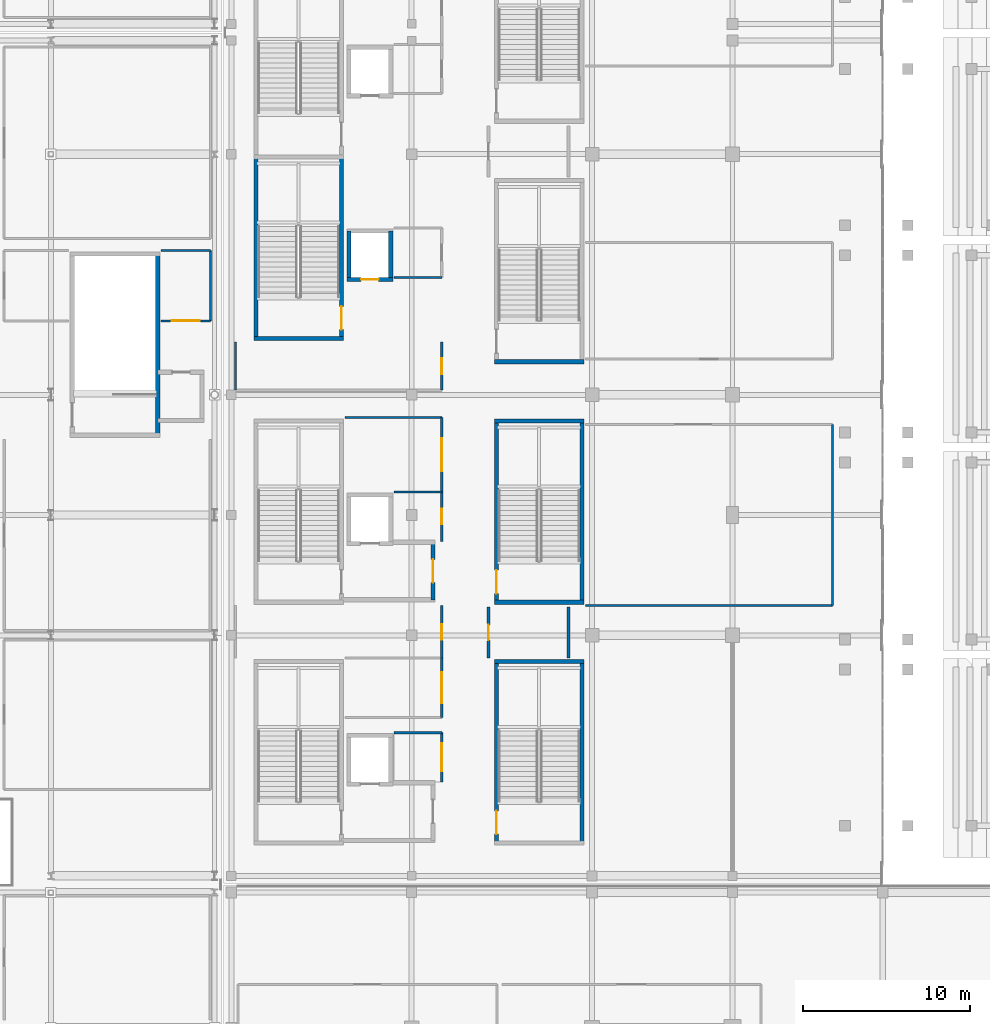
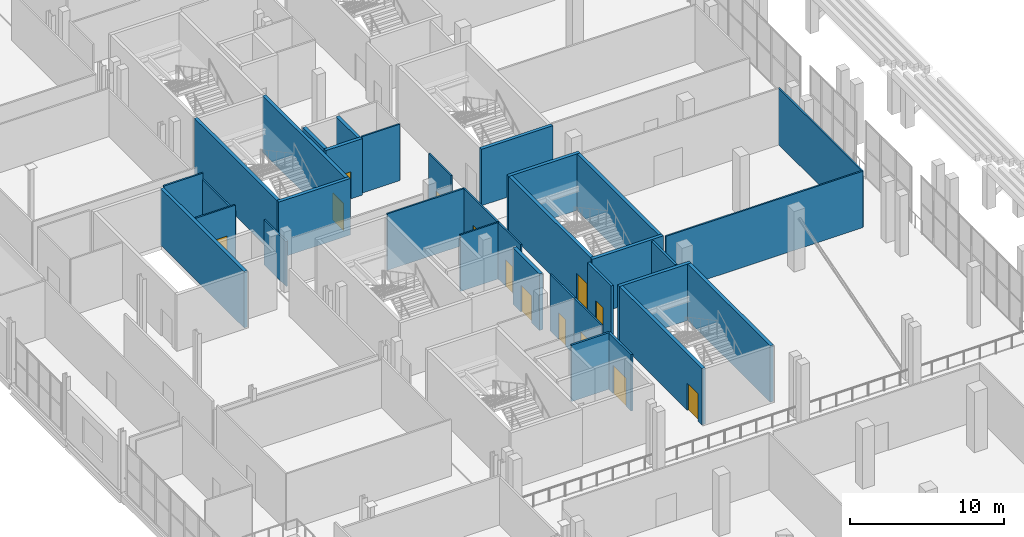
# One storey, part 89 of 142: 34 walls, 13 doors, 13 openings.
"""IFC4 building model written with IfcOpenShell, lengths in metres."""

from ifc_helpers import new_model, si_unit, direction, frame, frame_2d, origin, place, context, subcontext, project, spatial, rectangle, extrude, material, layer, layer_set, type_object, element, fill, save


model = new_model("IFC4")

# Units and contexts
model_context = context("Model", 3, precision=1e-05, world=origin(), true_north=direction((0.0, 1.0)))
body_context = subcontext(model_context, "Body", "Model", "MODEL_VIEW")
ifc_project = project(units=[si_unit("LENGTHUNIT", "METRE"), si_unit("AREAUNIT", "SQUARE_METRE"), si_unit("VOLUMEUNIT", "CUBIC_METRE"), si_unit("PLANEANGLEUNIT", "RADIAN"), si_unit("MASSUNIT", "GRAM", prefix="KILO")], contexts=[model_context])

# Site, building, storey
site_placement = place(None, origin())
site = spatial("IfcSite", under=ifc_project, at=site_placement, CompositionType="ELEMENT")
building_placement = place(site_placement, origin())
building = spatial("IfcBuilding", under=site, at=building_placement, Name="Koshinbarg Plaza Stadium", CompositionType="ELEMENT")
storey_placement = place(building_placement, frame((0.0, 0.0, 10.199951171875)))
storey = spatial("IfcBuildingStorey", under=building, at=storey_placement, Name="L02", CompositionType="ELEMENT", Elevation=10.199951171875)

# Walls
ifc_material_1 = material(Name="Concrete C40/50", Category="concrete")
ifc_layer_1 = layer(ifc_material_1, 0.25)
ifc_layer_set_1 = layer_set([ifc_layer_1], Name="Concrete C40/50")
wall_type_1 = type_object("IfcWallType", Name="WL-CORE-250", PredefinedType="SHEAR", material=ifc_layer_set_1)
wall_1_placement = place(storey_placement, frame((25.949951171875, 57.675048828125, 0.0), z_axis=(0.0, 0.0, 1.0), x_axis=(1.0, 0.0, 0.0)))
element("IfcWall", 1, at=wall_1_placement, inside=storey, type_object=wall_type_1, Name="L02 core stair shear wall C03-near IWL-L02-0065", PredefinedType="SHEAR", context=body_context, shape_type="SweptSolid", body=[
    extrude(rectangle(XDim=5.3701171875, YDim=0.25, at=frame_2d((2.68505859375, 0.0))), origin(), (0.0, 0.0, 1.0), 4.47998046875),
])
wall_2_placement = place(storey_placement, frame((26.074951171875, 57.675048828125, 0.0), z_axis=(0.0, 0.0, 1.0), x_axis=(0.0, 1.0, 0.0)))
element("IfcWall", 2, at=wall_2_placement, inside=storey, type_object=wall_type_1, Name="L02 core stair shear wall C03-left IWL-L02-0067", PredefinedType="SHEAR", context=body_context, shape_type="SweptSolid", body=[
    extrude(rectangle(XDim=10.849853515625, YDim=0.25, at=frame_2d((5.4248046875, 0.0))), origin(), (0.0, 0.0, 1.0), 4.47998046875),
])

# Wall, opening, door
wall_3_placement = place(storey_placement, frame((31.195068359375, 57.675048828125, 0.0), z_axis=(0.0, 0.0, 1.0), x_axis=(0.0, 1.0, 0.0)))
wall_3 = element("IfcWall", 3, at=wall_3_placement, inside=storey, type_object=wall_type_1, Name="L02 core stair shear wall C03-right IWL-L02-0068", PredefinedType="SHEAR", context=body_context, shape_type="SweptSolid", body=[
    extrude(rectangle(XDim=10.849853515625, YDim=0.25, at=frame_2d((5.4248046875, 0.0))), origin(), (0.0, 0.0, 1.0), 4.47998046875),
])
opening_1_placement = place(wall_3_placement, frame((0.52001953125, 0.0, 0.0)))
opening_1 = element("IfcOpeningElement", 4, at=opening_1_placement, cuts=wall_3, Name="Opening D-0077", PredefinedType="OPENING", context=body_context, shape_type="SweptSolid", body=[
    extrude(rectangle(XDim=1.39990234375, YDim=2.14990234375, at=frame_2d((0.699951171875, 1.074951171875))), frame((0.0, 0.135009765625, 0.0), z_axis=(0.0, -1.0, 0.0), x_axis=(1.0, 0.0, 0.0)), (0.0, 0.0, 1.0), 0.27001953125),
])
ifc_material_2 = material(Name="Painted galvanized steel fire door", Category="steel")
door_type_1 = type_object("IfcDoorType", Name="DR-STAIR-1400", OperationType="NOTDEFINED", PredefinedType="DOOR", material=ifc_material_2)
door_1_placement = place(opening_1_placement, origin())
door_1 = element("IfcDoor", 5, at=door_1_placement, inside=storey, type_object=door_type_1, Name="L02 exit stair door C03", OperationType="SINGLE_SWING_LEFT", OverallHeight=2.14990234375, OverallWidth=1.39990234375, PredefinedType="DOOR", context=body_context, shape_type="SweptSolid", body=[
    extrude(rectangle(XDim=1.39990234375, YDim=2.14990234375, at=frame_2d((0.699951171875, 1.074951171875))), frame((0.0, 0.02490234375, 0.0), z_axis=(0.0, -1.0, 0.0), x_axis=(1.0, 0.0, 0.0)), (0.0, 0.0, 1.0), 0.050048828125),
])
fill(opening_1, door_1)

# Walls
wall_4_placement = place(storey_placement, frame((20.195068359375, 51.875, 0.0), z_axis=(0.0, 0.0, 1.0), x_axis=(0.0, 1.0, 0.0)))
element("IfcWall", 6, at=wall_4_placement, inside=storey, type_object=wall_type_1, Name="L02 core stair shear wall C16-right IWL-L02-0353", PredefinedType="SHEAR", context=body_context, shape_type="SweptSolid", body=[
    extrude(rectangle(XDim=10.85009765625, YDim=0.25, at=frame_2d((5.425048828125, 0.0))), origin(), (0.0, 0.0, 1.0), 4.47998046875),
])
wall_5_placement = place(storey_placement, frame((45.719970703125, 38.324951171875, 0.0), z_axis=(0.0, 0.0, 1.0), x_axis=(-1.0, 0.0, 0.0)))
element("IfcWall", 7, at=wall_5_placement, inside=storey, type_object=wall_type_1, Name="L02 vomitory stair shear wall VX01-far IWL-L02-0363", PredefinedType="SHEAR", context=body_context, shape_type="SweptSolid", body=[
    extrude(rectangle(XDim=5.369873046875, YDim=0.25, at=frame_2d((2.68505859375, 0.0))), origin(), (0.0, 0.0, 1.0), 4.47998046875),
])

# Wall, opening, door
wall_6_placement = place(storey_placement, frame((40.47509765625, 27.47509765625, 0.0), z_axis=(0.0, 0.0, 1.0), x_axis=(0.0, 1.0, 0.0)))
wall_6 = element("IfcWall", 8, at=wall_6_placement, inside=storey, type_object=wall_type_1, Name="L02 vomitory stair shear wall VX01-left IWL-L02-0364", PredefinedType="SHEAR", context=body_context, shape_type="SweptSolid", body=[
    extrude(rectangle(XDim=10.849853515625, YDim=0.25, at=frame_2d((5.4248046875, 0.0))), origin(), (0.0, 0.0, 1.0), 4.47998046875),
])
opening_2_placement = place(wall_6_placement, frame((0.52001953125, 0.0, 0.0)))
opening_2 = element("IfcOpeningElement", 9, at=opening_2_placement, cuts=wall_6, Name="Opening D-0153", PredefinedType="OPENING", context=body_context, shape_type="SweptSolid", body=[
    extrude(rectangle(XDim=1.39990234375, YDim=2.14990234375, at=frame_2d((0.699951171875, 1.074951171875))), frame((0.0, 0.135009765625, 0.0), z_axis=(0.0, -1.0, 0.0), x_axis=(1.0, 0.0, 0.0)), (0.0, 0.0, 1.0), 0.27001953125),
])
door_2_placement = place(opening_2_placement, frame((1.39990234375, 0.0, 0.0), z_axis=(0.0, 0.0, 1.0), x_axis=(-1.0, 0.0, 0.0)))
door_2 = element("IfcDoor", 10, at=door_2_placement, inside=storey, type_object=door_type_1, Name="L02 vomitory exit stair door VX01", OperationType="SINGLE_SWING_RIGHT", OverallHeight=2.14990234375, OverallWidth=1.39990234375, PredefinedType="DOOR", context=body_context, shape_type="SweptSolid", body=[
    extrude(rectangle(XDim=1.39990234375, YDim=2.14990234375, at=frame_2d((0.699951171875, 1.074951171875))), frame((0.0, 0.02490234375, 0.0), z_axis=(0.0, -1.0, 0.0), x_axis=(1.0, 0.0, 0.0)), (0.0, 0.0, 1.0), 0.050048828125),
])
fill(opening_2, door_2)

# Walls
wall_7_placement = place(storey_placement, frame((45.594970703125, 27.47509765625, 0.0), z_axis=(0.0, 0.0, 1.0), x_axis=(0.0, 1.0, 0.0)))
element("IfcWall", 11, at=wall_7_placement, inside=storey, type_object=wall_type_1, Name="L02 vomitory stair shear wall VX01-right IWL-L02-0365", PredefinedType="SHEAR", context=body_context, shape_type="SweptSolid", body=[
    extrude(rectangle(XDim=10.849853515625, YDim=0.25, at=frame_2d((5.4248046875, 0.0))), origin(), (0.0, 0.0, 1.0), 4.47998046875),
])
for number, where, z_axis, x_axis, name in (
    (12, (40.35009765625, 41.875, 0.0), (0.0, 0.0, 1.0), (1.0, 0.0, 0.0), "L02 vomitory stair shear wall VX02-near IWL-L02-0378"),
    (13, (45.719970703125, 52.72509765625, 0.0), (0.0, 0.0, 1.0), (-1.0, 0.0, 0.0), "L02 vomitory stair shear wall VX02-far IWL-L02-0379"),
):
    element("IfcWall", number, at=place(storey_placement, frame(where, z_axis=z_axis, x_axis=x_axis)), inside=storey, type_object=wall_type_1, Name=name, PredefinedType="SHEAR", context=body_context, shape_type="SweptSolid", body=[
        extrude(rectangle(XDim=5.369873046875, YDim=0.25, at=frame_2d((2.68505859375, 0.0))), origin(), (0.0, 0.0, 1.0), 4.47998046875),
    ])

# Wall, opening, door
wall_8_placement = place(storey_placement, frame((40.47509765625, 41.875, 0.0), z_axis=(0.0, 0.0, 1.0), x_axis=(0.0, 1.0, 0.0)))
wall_8 = element("IfcWall", 14, at=wall_8_placement, inside=storey, type_object=wall_type_1, Name="L02 vomitory stair shear wall VX02-left IWL-L02-0380", PredefinedType="SHEAR", context=body_context, shape_type="SweptSolid", body=[
    extrude(rectangle(XDim=10.85009765625, YDim=0.25, at=frame_2d((5.425048828125, 0.0))), origin(), (0.0, 0.0, 1.0), 4.47998046875),
])
opening_3_placement = place(wall_8_placement, frame((0.52001953125, 0.0, 0.0)))
opening_3 = element("IfcOpeningElement", 15, at=opening_3_placement, cuts=wall_8, Name="Opening D-0157", PredefinedType="OPENING", context=body_context, shape_type="SweptSolid", body=[
    extrude(rectangle(XDim=1.39990234375, YDim=2.14990234375, at=frame_2d((0.699951171875, 1.074951171875))), frame((0.0, 0.135009765625, 0.0), z_axis=(0.0, -1.0, 0.0), x_axis=(1.0, 0.0, 0.0)), (0.0, 0.0, 1.0), 0.27001953125),
])
door_3_placement = place(opening_3_placement, frame((1.39990234375, 0.0, 0.0), z_axis=(0.0, 0.0, 1.0), x_axis=(-1.0, 0.0, 0.0)))
door_3 = element("IfcDoor", 16, at=door_3_placement, inside=storey, type_object=door_type_1, Name="L02 vomitory exit stair door VX02", OperationType="SINGLE_SWING_LEFT", OverallHeight=2.14990234375, OverallWidth=1.39990234375, PredefinedType="DOOR", context=body_context, shape_type="SweptSolid", body=[
    extrude(rectangle(XDim=1.39990234375, YDim=2.14990234375, at=frame_2d((0.699951171875, 1.074951171875))), frame((0.0, 0.02490234375, 0.0), z_axis=(0.0, -1.0, 0.0), x_axis=(1.0, 0.0, 0.0)), (0.0, 0.0, 1.0), 0.050048828125),
])
fill(opening_3, door_3)

# Walls
wall_9_placement = place(storey_placement, frame((45.594970703125, 41.875, 0.0), z_axis=(0.0, 0.0, 1.0), x_axis=(0.0, 1.0, 0.0)))
element("IfcWall", 17, at=wall_9_placement, inside=storey, type_object=wall_type_1, Name="L02 vomitory stair shear wall VX02-right IWL-L02-0381", PredefinedType="SHEAR", context=body_context, shape_type="SweptSolid", body=[
    extrude(rectangle(XDim=10.85009765625, YDim=0.25, at=frame_2d((5.425048828125, 0.0))), origin(), (0.0, 0.0, 1.0), 4.47998046875),
])
wall_10_placement = place(storey_placement, frame((40.35009765625, 56.27490234375, 0.0), z_axis=(0.0, 0.0, 1.0), x_axis=(1.0, 0.0, 0.0)))
element("IfcWall", 18, at=wall_10_placement, inside=storey, type_object=wall_type_1, Name="L02 vomitory stair shear wall VX03-near IWL-L02-0394", PredefinedType="SHEAR", context=body_context, shape_type="SweptSolid", body=[
    extrude(rectangle(XDim=5.369873046875, YDim=0.25, at=frame_2d((2.68505859375, 0.0))), origin(), (0.0, 0.0, 1.0), 4.47998046875),
])

# Wall, opening, door
wall_11_placement = place(storey_placement, frame((36.675048828125, 42.02490234375, 0.0), z_axis=(0.0, 0.0, 1.0), x_axis=(0.0, 1.0, 0.0)))
wall_11 = element("IfcWall", 19, at=wall_11_placement, inside=storey, type_object=wall_type_1, Name="L02 firefighting lobby wall C02-E IWL-L02-0677", PredefinedType="SHEAR", context=body_context, shape_type="SweptSolid", body=[
    extrude(rectangle(XDim=3.4501953125, YDim=0.25, at=frame_2d((1.72509765625, 0.0))), origin(), (0.0, 0.0, 1.0), 4.47998046875),
])
opening_4_placement = place(wall_11_placement, frame((1.02490234375, 0.0, 0.0)))
opening_4 = element("IfcOpeningElement", 20, at=opening_4_placement, cuts=wall_11, Name="Opening D-0234", PredefinedType="OPENING", context=body_context, shape_type="SweptSolid", body=[
    extrude(rectangle(XDim=1.39990234375, YDim=2.14990234375, at=frame_2d((0.699951171875, 1.074951171875))), frame((0.0, 0.135009765625, 0.0), z_axis=(0.0, -1.0, 0.0), x_axis=(1.0, 0.0, 0.0)), (0.0, 0.0, 1.0), 0.27001953125),
])
ifc_material_3 = material(Name="Smoke-sealed steel firefighting lobby door", Category="steel")
door_type_2 = type_object("IfcDoorType", Name="DR-FFLOB-1400", OperationType="NOTDEFINED", PredefinedType="DOOR", material=ifc_material_3)
door_4_placement = place(opening_4_placement, origin())
door_4 = element("IfcDoor", 21, at=door_4_placement, inside=storey, type_object=door_type_2, Name="L02 firefighting lobby fire door C02", OperationType="DOUBLE_DOOR_SINGLE_SWING", OverallHeight=2.14990234375, OverallWidth=1.39990234375, PredefinedType="DOOR", context=body_context, shape_type="SweptSolid", body=[
    extrude(rectangle(XDim=1.39990234375, YDim=2.14990234375, at=frame_2d((0.699951171875, 1.074951171875))), frame((0.0, 0.02490234375, 0.0), z_axis=(0.0, -1.0, 0.0), x_axis=(1.0, 0.0, 0.0)), (0.0, 0.0, 1.0), 0.050048828125),
])
fill(opening_4, door_4)

wall_12_placement = place(storey_placement, frame((31.52490234375, 61.199951171875, 0.0), z_axis=(0.0, 0.0, 1.0), x_axis=(1.0, 0.0, 0.0)))
wall_12 = element("IfcWall", 22, at=wall_12_placement, inside=storey, type_object=wall_type_1, Name="L02 lift shaft shear wall LP01-S IWL-L02-0716", PredefinedType="SHEAR", context=body_context, shape_type="SweptSolid", body=[
    extrude(rectangle(XDim=2.75, YDim=0.25, at=frame_2d((1.375, 0.0))), origin(), (0.0, 0.0, 1.0), 4.47998046875),
])
opening_5_placement = place(wall_12_placement, frame((0.85009765625, 0.0, 0.0)))
opening_5 = element("IfcOpeningElement", 23, at=opening_5_placement, cuts=wall_12, Name="Opening D-0245", PredefinedType="OPENING", context=body_context, shape_type="SweptSolid", body=[
    extrude(rectangle(XDim=1.050048828125, YDim=2.14990234375, at=frame_2d((0.52490234375, 1.074951171875))), frame((0.0, 0.135009765625, 0.0), z_axis=(0.0, -1.0, 0.0), x_axis=(1.0, 0.0, 0.0)), (0.0, 0.0, 1.0), 0.27001953125),
])
ifc_material_4 = material(Name="Brushed stainless steel sliding lift landing door", Category="steel")
door_type_3 = type_object("IfcDoorType", Name="DR-LIFT-1050", OperationType="NOTDEFINED", PredefinedType="DOOR", material=ifc_material_4)
door_5_placement = place(opening_5_placement, origin())
door_5 = element("IfcDoor", 24, at=door_5_placement, inside=storey, type_object=door_type_3, Name="L02 lift landing door LP01", OperationType="SLIDING_TO_RIGHT", OverallHeight=2.14990234375, OverallWidth=1.050048828125, PredefinedType="DOOR", context=body_context, shape_type="SweptSolid", body=[
    extrude(rectangle(XDim=1.050048828125, YDim=2.14990234375, at=frame_2d((0.52490234375, 1.074951171875))), frame((0.0, 0.02490234375, 0.0), z_axis=(0.0, -1.0, 0.0), x_axis=(1.0, 0.0, 0.0)), (0.0, 0.0, 1.0), 0.050048828125),
])
fill(opening_5, door_5)

# Walls
for number, where, z_axis, x_axis, name in (
    (25, (31.64990234375, 64.10009765625, 0.0), (0.0, 0.0, 1.0), (0.0, -1.0, 0.0), "L02 lift shaft shear wall LP01-W IWL-L02-0718"),
    (26, (34.14990234375, 61.199951171875, 0.0), (0.0, 0.0, 1.0), (0.0, 1.0, 0.0), "L02 lift shaft shear wall LP01-E IWL-L02-0719"),
):
    element("IfcWall", number, at=place(storey_placement, frame(where, z_axis=z_axis, x_axis=x_axis)), inside=storey, type_object=wall_type_1, Name=name, PredefinedType="SHEAR", context=body_context, shape_type="SweptSolid", body=[
        extrude(rectangle(XDim=2.900146484375, YDim=0.25, at=frame_2d((1.4501953125, 0.0))), origin(), (0.0, 0.0, 1.0), 4.47998046875),
    ])

# Wall, opening, door
ifc_material_5 = material(Name="Gypsum board metal-stud acoustic partition")
ifc_layer_2 = layer(ifc_material_5, 0.1201171875)
ifc_layer_set_2 = layer_set([ifc_layer_2], Name="Gypsum board metal-stud acoustic partition")
wall_type_2 = type_object("IfcWallType", Name="WL-PART-120", PredefinedType="PARTITIONING", material=ifc_layer_set_2)
wall_13_placement = place(storey_placement, frame((37.199951171875, 38.530029296875, 0.0), z_axis=(0.0, 0.0, 1.0), x_axis=(0.0, 1.0, 0.0)))
wall_13 = element("IfcWall", 27, at=wall_13_placement, inside=storey, type_object=wall_type_2, Name="L02 interior partition L02-61-east IWL-L02-1628", PredefinedType="PARTITIONING", context=body_context, shape_type="SweptSolid", body=[
    extrude(rectangle(XDim=3.139892578125, YDim=0.1201171875, at=frame_2d((1.56982421875, 0.0))), origin(), (0.0, 0.0, 1.0), 4.47998046875),
])
opening_6_placement = place(wall_13_placement, frame((1.110107421875, 0.0, 0.0)))
opening_6 = element("IfcOpeningElement", 28, at=opening_6_placement, cuts=wall_13, Name="Opening D-0548", PredefinedType="OPENING", context=body_context, shape_type="SweptSolid", body=[
    extrude(rectangle(XDim=0.919921875, YDim=2.10009765625, at=frame_2d((0.4599609375, 1.050048828125))), frame((0.0, 0.070068359375, 0.0), z_axis=(0.0, -1.0, 0.0), x_axis=(1.0, 0.0, 0.0)), (0.0, 0.0, 1.0), 0.14013671875),
])
ifc_material_6 = material(Name="Solid-core oak veneer acoustic door")
door_type_4 = type_object("IfcDoorType", Name="DR-INT-0920x2100", OperationType="NOTDEFINED", PredefinedType="DOOR", material=ifc_material_6)
door_6_placement = place(opening_6_placement, origin())
door_6 = element("IfcDoor", 29, at=door_6_placement, inside=storey, type_object=door_type_4, Name="L02 Presidential Club Lounge door D-0548", OperationType="SINGLE_SWING_RIGHT", OverallHeight=2.10009765625, OverallWidth=0.919921875, PredefinedType="DOOR", context=body_context, shape_type="SweptSolid", body=[
    extrude(rectangle(XDim=0.919921875, YDim=2.10009765625, at=frame_2d((0.4599609375, 1.050048828125))), frame((0.0, 0.02490234375, 0.0), z_axis=(0.0, -1.0, 0.0), x_axis=(1.0, 0.0, 0.0)), (0.0, 0.0, 1.0), 0.050048828125),
])
fill(opening_6, door_6)

wall_14_placement = place(storey_placement, frame((37.199951171875, 34.994140625, 0.0), z_axis=(0.0, 0.0, 1.0), x_axis=(0.0, 1.0, 0.0)))
wall_14 = element("IfcWall", 30, at=wall_14_placement, inside=storey, type_object=wall_type_2, Name="L02 interior partition L02-62-east IWL-L02-1631", PredefinedType="PARTITIONING", context=body_context, shape_type="SweptSolid", body=[
    extrude(rectangle(XDim=3.535888671875, YDim=0.1201171875, at=frame_2d((1.76806640625, 0.0))), origin(), (0.0, 0.0, 1.0), 4.47998046875),
])
opening_7_placement = place(wall_14_placement, frame((0.837890625, 0.0, 0.0)))
opening_7 = element("IfcOpeningElement", 31, at=opening_7_placement, cuts=wall_14, Name="Opening D-0549", PredefinedType="OPENING", context=body_context, shape_type="SweptSolid", body=[
    extrude(rectangle(XDim=1.860107421875, YDim=2.300048828125, at=frame_2d((0.93017578125, 1.14990234375))), frame((0.0, 0.070068359375, 0.0), z_axis=(0.0, -1.0, 0.0), x_axis=(1.0, 0.0, 0.0)), (0.0, 0.0, 1.0), 0.14013671875),
])
ifc_material_7 = material(Name="Acoustic solid-core walnut veneer fire door")
door_type_5 = type_object("IfcDoorType", Name="DR-INT-1860x2300", OperationType="NOTDEFINED", PredefinedType="DOOR", material=ifc_material_7)
door_7_placement = place(opening_7_placement, origin())
door_7 = element("IfcDoor", 32, at=door_7_placement, inside=storey, type_object=door_type_5, Name="L02 West Club Concourse door D-0549", OperationType="DOUBLE_DOOR_SINGLE_SWING", OverallHeight=2.300048828125, OverallWidth=1.860107421875, PredefinedType="DOOR", context=body_context, shape_type="SweptSolid", body=[
    extrude(rectangle(XDim=1.860107421875, YDim=2.300048828125, at=frame_2d((0.93017578125, 1.14990234375))), frame((0.0, 0.02490234375, 0.0), z_axis=(0.0, -1.0, 0.0), x_axis=(1.0, 0.0, 0.0)), (0.0, 0.0, 1.0), 0.050048828125),
])
fill(opening_7, door_7)

wall_15_placement = place(storey_placement, frame((37.199951171875, 48.47998046875, 0.0), z_axis=(0.0, 0.0, 1.0), x_axis=(0.0, 1.0, 0.0)))
wall_15 = element("IfcWall", 33, at=wall_15_placement, inside=storey, type_object=wall_type_2, Name="L02 interior partition L02-63-east IWL-L02-1633", PredefinedType="PARTITIONING", context=body_context, shape_type="SweptSolid", body=[
    extrude(rectangle(XDim=4.449951171875, YDim=0.1201171875, at=frame_2d((2.22509765625, 0.0))), origin(), (0.0, 0.0, 1.0), 4.47998046875),
])
opening_8_placement = place(wall_15_placement, frame((1.2451171875, 0.0, 0.0)))
opening_8 = element("IfcOpeningElement", 34, at=opening_8_placement, cuts=wall_15, Name="Opening D-0550", PredefinedType="OPENING", context=body_context, shape_type="SweptSolid", body=[
    extrude(rectangle(XDim=1.9599609375, YDim=2.300048828125, at=frame_2d((0.97998046875, 1.14990234375))), frame((0.0, 0.070068359375, 0.0), z_axis=(0.0, -1.0, 0.0), x_axis=(1.0, 0.0, 0.0)), (0.0, 0.0, 1.0), 0.14013671875),
])
ifc_material_8 = material(Name="Bronze-anodised aluminium glazed double door", Category="aluminium")
door_type_6 = type_object("IfcDoorType", Name="DR-INT-1960x2300", OperationType="NOTDEFINED", PredefinedType="DOOR", material=ifc_material_8)
door_8_placement = place(opening_8_placement, origin())
door_8 = element("IfcDoor", 35, at=door_8_placement, inside=storey, type_object=door_type_6, Name="L02 West Club Concourse door D-0550", OperationType="DOUBLE_DOOR_SINGLE_SWING", OverallHeight=2.300048828125, OverallWidth=1.9599609375, PredefinedType="DOOR", context=body_context, shape_type="SweptSolid", body=[
    extrude(rectangle(XDim=1.9599609375, YDim=2.300048828125, at=frame_2d((0.97998046875, 1.14990234375))), frame((0.0, 0.02490234375, 0.0), z_axis=(0.0, -1.0, 0.0), x_axis=(1.0, 0.0, 0.0)), (0.0, 0.0, 1.0), 0.050048828125),
])
fill(opening_8, door_8)

# Wall
wall_16_placement = place(storey_placement, frame((37.199951171875, 52.929931640625, 0.0), z_axis=(0.0, 0.0, 1.0), x_axis=(-1.0, 0.0, 0.0)))
element("IfcWall", 36, at=wall_16_placement, inside=storey, type_object=wall_type_2, Name="L02 interior partition L02-63-north IWL-L02-1634", PredefinedType="PARTITIONING", context=body_context, shape_type="SweptSolid", body=[
    extrude(rectangle(XDim=5.800048828125, YDim=0.1201171875, at=frame_2d((2.89990234375, 0.0))), origin(), (0.0, 0.0, 1.0), 4.47998046875),
])

# Wall, opening, door
wall_17_placement = place(storey_placement, frame((37.199951171875, 45.530029296875, 0.0), z_axis=(0.0, 0.0, 1.0), x_axis=(0.0, 1.0, 0.0)))
wall_17 = element("IfcWall", 37, at=wall_17_placement, inside=storey, type_object=wall_type_2, Name="L02 interior partition L02-64-east IWL-L02-1635", PredefinedType="PARTITIONING", context=body_context, shape_type="SweptSolid", body=[
    extrude(rectangle(XDim=2.949951171875, YDim=0.1201171875, at=frame_2d((1.47509765625, 0.0))), origin(), (0.0, 0.0, 1.0), 4.47998046875),
])
opening_9_placement = place(wall_17_placement, frame((1.014892578125, 0.0, 0.0)))
opening_9 = element("IfcOpeningElement", 38, at=opening_9_placement, cuts=wall_17, Name="Opening D-0551", PredefinedType="OPENING", context=body_context, shape_type="SweptSolid", body=[
    extrude(rectangle(XDim=0.919921875, YDim=2.10009765625, at=frame_2d((0.4599609375, 1.050048828125))), frame((0.0, 0.070068359375, 0.0), z_axis=(0.0, -1.0, 0.0), x_axis=(1.0, 0.0, 0.0)), (0.0, 0.0, 1.0), 0.14013671875),
])
door_9_placement = place(opening_9_placement, origin())
door_9 = element("IfcDoor", 39, at=door_9_placement, inside=storey, type_object=door_type_4, Name="L02 Hospitality Catering Kitchen door D-0551", OperationType="SINGLE_SWING_LEFT", OverallHeight=2.10009765625, OverallWidth=0.919921875, PredefinedType="DOOR", context=body_context, shape_type="SweptSolid", body=[
    extrude(rectangle(XDim=0.919921875, YDim=2.10009765625, at=frame_2d((0.4599609375, 1.050048828125))), frame((0.0, 0.02490234375, 0.0), z_axis=(0.0, -1.0, 0.0), x_axis=(1.0, 0.0, 0.0)), (0.0, 0.0, 1.0), 0.050048828125),
])
fill(opening_9, door_9)

# Walls
wall_18_placement = place(storey_placement, frame((37.199951171875, 48.47998046875, 0.0), z_axis=(0.0, 0.0, 1.0), x_axis=(-1.0, 0.0, 0.0)))
element("IfcWall", 40, at=wall_18_placement, inside=storey, type_object=wall_type_2, Name="L02 interior partition L02-64-north IWL-L02-1636", PredefinedType="PARTITIONING", context=body_context, shape_type="SweptSolid", body=[
    extrude(rectangle(XDim=2.869873046875, YDim=0.1201171875, at=frame_2d((1.43505859375, 0.0))), origin(), (0.0, 0.0, 1.0), 4.47998046875),
])
wall_19_placement = place(storey_placement, frame((45.800048828125, 41.669921875, 0.0), z_axis=(0.0, 0.0, 1.0), x_axis=(1.0, 0.0, 0.0)))
element("IfcWall", 41, at=wall_19_placement, inside=storey, type_object=wall_type_2, Name="L02 interior partition L02-65-south IWL-L02-1637", PredefinedType="PARTITIONING", context=body_context, shape_type="SweptSolid", body=[
    extrude(rectangle(XDim=14.800048828125, YDim=0.1201171875, at=frame_2d((7.39990234375, 0.0))), origin(), (0.0, 0.0, 1.0), 4.47998046875),
])
wall_20_placement = place(storey_placement, frame((60.60009765625, 41.669921875, 0.0), z_axis=(0.0, 0.0, 1.0), x_axis=(0.0, 1.0, 0.0)))
element("IfcWall", 42, at=wall_20_placement, inside=storey, type_object=wall_type_2, Name="L02 interior partition L02-65-east IWL-L02-1638", PredefinedType="PARTITIONING", context=body_context, shape_type="SweptSolid", body=[
    extrude(rectangle(XDim=10.85009765625, YDim=0.1201171875, at=frame_2d((5.425048828125, 0.0))), origin(), (0.0, 0.0, 1.0), 4.47998046875),
])

# Wall, opening, door
wall_21_placement = place(storey_placement, frame((37.199951171875, 54.570068359375, 0.0), z_axis=(0.0, 0.0, 1.0), x_axis=(0.0, 1.0, 0.0)))
wall_21 = element("IfcWall", 43, at=wall_21_placement, inside=storey, type_object=wall_type_2, Name="L02 interior partition L02-66-east IWL-L02-1641", PredefinedType="PARTITIONING", context=body_context, shape_type="SweptSolid", body=[
    extrude(rectangle(XDim=2.89990234375, YDim=0.1201171875, at=frame_2d((1.449951171875, 0.0))), origin(), (0.0, 0.0, 1.0), 4.47998046875),
])
opening_10_placement = place(wall_21_placement, frame((0.969970703125, 0.0, 0.0)))
opening_10 = element("IfcOpeningElement", 44, at=opening_10_placement, cuts=wall_21, Name="Opening D-0553", PredefinedType="OPENING", context=body_context, shape_type="SweptSolid", body=[
    extrude(rectangle(XDim=0.9599609375, YDim=2.10009765625, at=frame_2d((0.47998046875, 1.050048828125))), frame((0.0, 0.070068359375, 0.0), z_axis=(0.0, -1.0, 0.0), x_axis=(1.0, 0.0, 0.0)), (0.0, 0.0, 1.0), 0.14013671875),
])
door_type_7 = type_object("IfcDoorType", Name="DR-INT-0960x2100", OperationType="NOTDEFINED", PredefinedType="DOOR", material=ifc_material_6)
door_10_placement = place(opening_10_placement, origin())
door_10 = element("IfcDoor", 45, at=door_10_placement, inside=storey, type_object=door_type_7, Name="L02 West Club Concourse door D-0553", OperationType="SINGLE_SWING_LEFT", OverallHeight=2.10009765625, OverallWidth=0.9599609375, PredefinedType="DOOR", context=body_context, shape_type="SweptSolid", body=[
    extrude(rectangle(XDim=0.9599609375, YDim=2.10009765625, at=frame_2d((0.47998046875, 1.050048828125))), frame((0.0, 0.02490234375, 0.0), z_axis=(0.0, -1.0, 0.0), x_axis=(1.0, 0.0, 0.0)), (0.0, 0.0, 1.0), 0.050048828125),
])
fill(opening_10, door_10)

# Walls
wall_22_placement = place(storey_placement, frame((24.844970703125, 57.469970703125, 0.0), z_axis=(0.0, 0.0, 1.0), x_axis=(0.0, -1.0, 0.0)))
element("IfcWall", 46, at=wall_22_placement, inside=storey, type_object=wall_type_2, Name="L02 interior partition L02-66-west IWL-L02-1642", PredefinedType="PARTITIONING", context=body_context, shape_type="SweptSolid", body=[
    extrude(rectangle(XDim=2.89990234375, YDim=0.1201171875, at=frame_2d((1.449951171875, 0.0))), origin(), (0.0, 0.0, 1.0), 3.56005859375),
])
wall_23_placement = place(storey_placement, frame((34.330078125, 61.330078125, 0.0), z_axis=(0.0, 0.0, 1.0), x_axis=(1.0, 0.0, 0.0)))
element("IfcWall", 47, at=wall_23_placement, inside=storey, type_object=wall_type_2, Name="L02 interior partition L02-67-south IWL-L02-1643", PredefinedType="PARTITIONING", context=body_context, shape_type="SweptSolid", body=[
    extrude(rectangle(XDim=2.869873046875, YDim=0.1201171875, at=frame_2d((1.43505859375, 0.0))), origin(), (0.0, 0.0, 1.0), 4.47998046875),
])

# Wall, opening, door
wall_24_placement = place(storey_placement, frame((20.39990234375, 58.72998046875, 0.0), z_axis=(0.0, 0.0, 1.0), x_axis=(1.0, 0.0, 0.0)))
wall_24 = element("IfcWall", 48, at=wall_24_placement, inside=storey, type_object=wall_type_2, Name="L02 interior partition L02-162-south IWL-L02-1912", PredefinedType="PARTITIONING", context=body_context, shape_type="SweptSolid", body=[
    extrude(rectangle(XDim=2.955078125, YDim=0.1201171875, at=frame_2d((1.4775390625, 0.0))), origin(), (0.0, 0.0, 1.0), 4.47998046875),
])
opening_11_placement = place(wall_24_placement, frame((0.637451171875, 0.0, 0.0)))
opening_11 = element("IfcOpeningElement", 49, at=opening_11_placement, cuts=wall_24, Name="Opening D-0649", PredefinedType="OPENING", context=body_context, shape_type="SweptSolid", body=[
    extrude(rectangle(XDim=1.679931640625, YDim=2.25, at=frame_2d((0.83984375, 1.125))), frame((0.0, 0.070068359375, 0.0), z_axis=(0.0, -1.0, 0.0), x_axis=(1.0, 0.0, 0.0)), (0.0, 0.0, 1.0), 0.14013671875),
])
ifc_material_9 = material(Name="Powder-coated aluminium double glazed door", Category="aluminium")
door_type_8 = type_object("IfcDoorType", Name="DR-INT-1680x2250", OperationType="NOTDEFINED", PredefinedType="DOOR", material=ifc_material_9)
door_11_placement = place(opening_11_placement, origin())
door_11 = element("IfcDoor", 50, at=door_11_placement, inside=storey, type_object=door_type_8, Name="L02 Southwest Club Dining Hall door D-0649", OperationType="DOUBLE_DOOR_SINGLE_SWING", OverallHeight=2.25, OverallWidth=1.679931640625, PredefinedType="DOOR", context=body_context, shape_type="SweptSolid", body=[
    extrude(rectangle(XDim=1.679931640625, YDim=2.25, at=frame_2d((0.83984375, 1.125))), frame((0.0, 0.02490234375, 0.0), z_axis=(0.0, -1.0, 0.0), x_axis=(1.0, 0.0, 0.0)), (0.0, 0.0, 1.0), 0.050048828125),
])
fill(opening_11, door_11)

# Walls
wall_25_placement = place(storey_placement, frame((23.35498046875, 58.72998046875, 0.0), z_axis=(0.0, 0.0, 1.0), x_axis=(0.0, 1.0, 0.0)))
element("IfcWall", 51, at=wall_25_placement, inside=storey, type_object=wall_type_2, Name="L02 interior partition L02-162-east IWL-L02-1913", PredefinedType="PARTITIONING", context=body_context, shape_type="SweptSolid", body=[
    extrude(rectangle(XDim=4.199951171875, YDim=0.1201171875, at=frame_2d((2.10009765625, 0.0))), origin(), (0.0, 0.0, 1.0), 3.969970703125),
])
wall_26_placement = place(storey_placement, frame((23.35498046875, 62.929931640625, 0.0), z_axis=(0.0, 0.0, 1.0), x_axis=(-1.0, 0.0, 0.0)))
element("IfcWall", 52, at=wall_26_placement, inside=storey, type_object=wall_type_2, Name="L02 interior partition L02-162-north IWL-L02-1914", PredefinedType="PARTITIONING", context=body_context, shape_type="SweptSolid", body=[
    extrude(rectangle(XDim=2.955078125, YDim=0.1201171875, at=frame_2d((1.4775390625, 0.0))), origin(), (0.0, 0.0, 1.0), 4.47998046875),
])

# Wall, opening, door
ifc_material_10 = material(Name="Double-layer gypsum acoustic suite partition")
ifc_layer_3 = layer(ifc_material_10, 0.14990234375)
ifc_layer_set_3 = layer_set([ifc_layer_3], Name="Double-layer gypsum acoustic suite partition")
wall_type_3 = type_object("IfcWallType", Name="WL-PART-150", PredefinedType="PARTITIONING", material=ifc_layer_set_3)
wall_27_placement = place(storey_placement, frame((37.199951171875, 31.1298828125, 0.0), z_axis=(0.0, 0.0, 1.0), x_axis=(0.0, 1.0, 0.0)))
wall_27 = element("IfcWall", 53, at=wall_27_placement, inside=storey, type_object=wall_type_3, Name="L02 interior partition L02-60-east IWL-L02-1626", PredefinedType="PARTITIONING", context=body_context, shape_type="SweptSolid", body=[
    extrude(rectangle(XDim=2.9501953125, YDim=0.14990234375, at=frame_2d((1.47509765625, 0.0))), origin(), (0.0, 0.0, 1.0), 4.47998046875),
])
opening_12_placement = place(wall_27_placement, frame((0.635009765625, 0.0, 0.0)))
opening_12 = element("IfcOpeningElement", 54, at=opening_12_placement, cuts=wall_27, Name="Opening D-0547", PredefinedType="OPENING", context=body_context, shape_type="SweptSolid", body=[
    extrude(rectangle(XDim=1.679931640625, YDim=2.25, at=frame_2d((0.83984375, 1.125))), frame((0.0, 0.0849609375, 0.0), z_axis=(0.0, -1.0, 0.0), x_axis=(1.0, 0.0, 0.0)), (0.0, 0.0, 1.0), 0.169921875),
])
door_12_placement = place(opening_12_placement, origin())
door_12 = element("IfcDoor", 55, at=door_12_placement, inside=storey, type_object=door_type_8, Name="L02 VIP Hospitality Suite door D-0547", OperationType="DOUBLE_DOOR_SINGLE_SWING", OverallHeight=2.25, OverallWidth=1.679931640625, PredefinedType="DOOR", context=body_context, shape_type="SweptSolid", body=[
    extrude(rectangle(XDim=1.679931640625, YDim=2.25, at=frame_2d((0.83984375, 1.125))), frame((0.0, 0.02490234375, 0.0), z_axis=(0.0, -1.0, 0.0), x_axis=(1.0, 0.0, 0.0)), (0.0, 0.0, 1.0), 0.050048828125),
])
fill(opening_12, door_12)

# Walls
wall_28_placement = place(storey_placement, frame((37.199951171875, 34.080078125, 0.0), z_axis=(0.0, 0.0, 1.0), x_axis=(-1.0, 0.0, 0.0)))
element("IfcWall", 56, at=wall_28_placement, inside=storey, type_object=wall_type_3, Name="L02 interior partition L02-60-north IWL-L02-1627", PredefinedType="PARTITIONING", context=body_context, shape_type="SweptSolid", body=[
    extrude(rectangle(XDim=2.869873046875, YDim=0.14990234375, at=frame_2d((1.43505859375, 0.0))), origin(), (0.0, 0.0, 1.0), 4.47998046875),
])
ifc_material_11 = material(Name="Moisture-resistant tiled sanitary partition")
ifc_layer_4 = layer(ifc_material_11, 0.179931640625)
ifc_layer_set_4 = layer_set([ifc_layer_4], Name="Moisture-resistant tiled sanitary partition")
wall_type_4 = type_object("IfcWallType", Name="WL-PART-180", PredefinedType="PARTITIONING", material=ifc_layer_set_4)
wall_29_placement = place(storey_placement, frame((44.800048828125, 38.530029296875, 0.0), z_axis=(0.0, 0.0, 1.0), x_axis=(0.0, 1.0, 0.0)))
element("IfcWall", 57, at=wall_29_placement, inside=storey, type_object=wall_type_4, Name="L02 interior partition L02-57-east IWL-L02-1620", PredefinedType="PARTITIONING", context=body_context, shape_type="SweptSolid", body=[
    extrude(rectangle(XDim=3.070068359375, YDim=0.179931640625, at=frame_2d((1.53515625, 0.0))), origin(), (0.0, 0.0, 1.0), 4.47998046875),
])

# Wall, opening, door
wall_30_placement = place(storey_placement, frame((40.0, 41.60009765625, 0.0), z_axis=(0.0, 0.0, 1.0), x_axis=(0.0, -1.0, 0.0)))
wall_30 = element("IfcWall", 58, at=wall_30_placement, inside=storey, type_object=wall_type_4, Name="L02 interior partition L02-57-west IWL-L02-1621", PredefinedType="PARTITIONING", context=body_context, shape_type="SweptSolid", body=[
    extrude(rectangle(XDim=3.070068359375, YDim=0.179931640625, at=frame_2d((1.53515625, 0.0))), origin(), (0.0, 0.0, 1.0), 4.47998046875),
])
opening_13_placement = place(wall_30_placement, frame((1.074951171875, 0.0, 0.0)))
opening_13 = element("IfcOpeningElement", 59, at=opening_13_placement, cuts=wall_30, Name="Opening D-0544", PredefinedType="OPENING", context=body_context, shape_type="SweptSolid", body=[
    extrude(rectangle(XDim=0.919921875, YDim=2.10009765625, at=frame_2d((0.4599609375, 1.050048828125))), frame((0.0, 0.099853515625, 0.0), z_axis=(0.0, -1.0, 0.0), x_axis=(1.0, 0.0, 0.0)), (0.0, 0.0, 1.0), 0.199951171875),
])
door_13_placement = place(opening_13_placement, origin())
door_13 = element("IfcDoor", 60, at=door_13_placement, inside=storey, type_object=door_type_4, Name="L02 Public Restroom 1 door D-0544", OperationType="SINGLE_SWING_RIGHT", OverallHeight=2.10009765625, OverallWidth=0.919921875, PredefinedType="DOOR", context=body_context, shape_type="SweptSolid", body=[
    extrude(rectangle(XDim=0.919921875, YDim=2.10009765625, at=frame_2d((0.4599609375, 1.050048828125))), frame((0.0, 0.02490234375, 0.0), z_axis=(0.0, -1.0, 0.0), x_axis=(1.0, 0.0, 0.0)), (0.0, 0.0, 1.0), 0.050048828125),
])
fill(opening_13, door_13)

save(model, "model.ifc")
